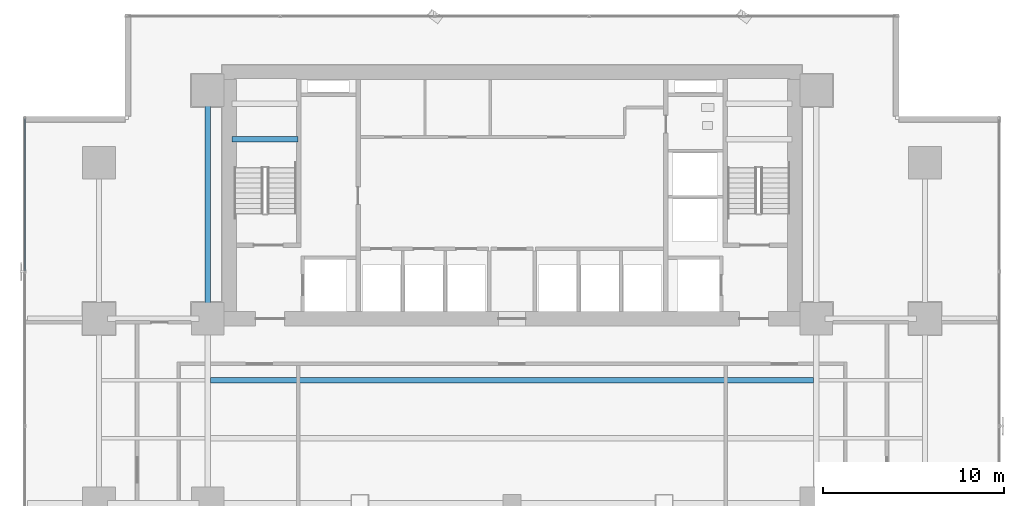
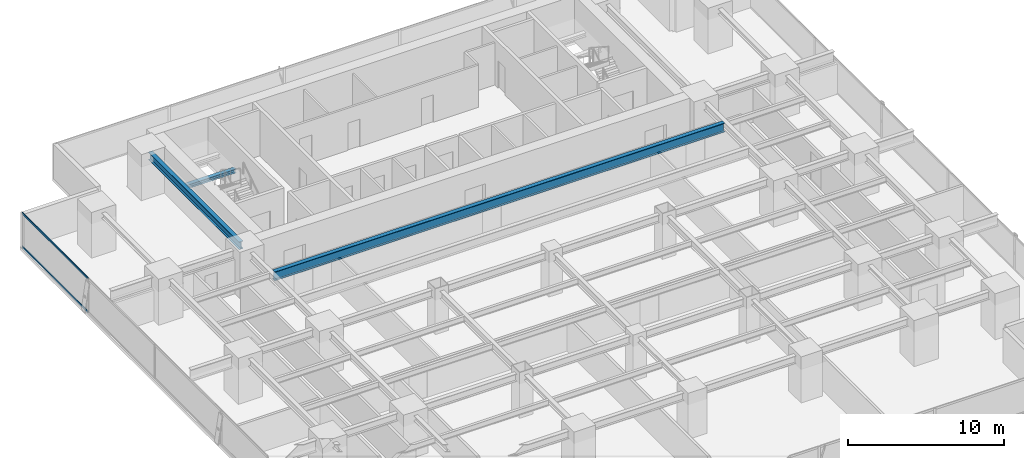
# One storey, part 17 of 33: 3 beams, 2 members, 1 element without a shape of its own.
"""IFC4 building model written with IfcOpenShell, lengths in metres."""

import ifcopenshell
import ifcopenshell.guid

model = None  # the IFC model being written
_history = None  # IfcOwnerHistory: only IFC2X3 demands one
_inside = {}  # id of a spatial element -> (the spatial element, [elements in it])
_under = {}  # id of a project, library or spatial element -> (it, [spatial elements below it])
_declared = {}  # id of a project -> (the project, [libraries it declares])
_typed = {}  # id of a type object -> (the type object, [elements of that type])
_made_of = {}  # id of a material, layer set ... -> (it, [elements and type objects made of it])


def new_model(schema):
    """Start an empty IFC model of exactly this schema.

    Asked for "IFC4X3", IfcOpenShell would pick the latest addendum, in which some entities
    have other attributes; the version numbers below select the first issue.
    IFC2X3 requires an IfcOwnerHistory on every rooted entity: one is made here for all.
    """
    global model, _history
    if schema == "IFC4X3":
        model = ifcopenshell.file(schema_version=(4, 3, 0, 0))
    else:
        model = ifcopenshell.file(schema=schema)
    _inside.clear()
    _under.clear()
    _declared.clear()
    _typed.clear()
    _made_of.clear()
    _history = None
    if model.schema == "IFC2X3":
        org = make("IfcOrganization", Name="unknown")
        user = make(
            "IfcPersonAndOrganization",
            ThePerson=make("IfcPerson", FamilyName="unknown"),
            TheOrganization=org,
        )
        app = make(
            "IfcApplication",
            ApplicationDeveloper=org,
            Version="unknown",
            ApplicationFullName="unknown",
            ApplicationIdentifier="unknown",
        )
        _history = make(
            "IfcOwnerHistory",
            OwningUser=user,
            OwningApplication=app,
            ChangeAction="ADDED",
            CreationDate=0,
        )
    return model


def make(cls, **values):
    """One entity of the class cls with the attributes given. An attribute that is None is left unset."""
    return model.create_entity(
        cls, **{name: value for name, value in values.items() if value is not None}
    )


def rooted(cls, **values):
    """An entity with a GlobalId (a new one), such as an element, a storey or a relation."""
    return make(cls, GlobalId=ifcopenshell.guid.new(), OwnerHistory=_history, **values)


def si_unit(unit_type, name, prefix=None):
    """IfcSIUnit, for example si_unit("LENGTHUNIT", "METRE", prefix="MILLI")."""
    return make("IfcSIUnit", UnitType=unit_type, Prefix=prefix, Name=name)


def assignment(units):
    """IfcUnitAssignment: the units of a project."""
    return None if units is None else make("IfcUnitAssignment", Units=units)


def point(xyz):
    """IfcCartesianPoint."""
    return None if xyz is None else make("IfcCartesianPoint", Coordinates=xyz)


def direction(xyz):
    """IfcDirection."""
    return None if xyz is None else make("IfcDirection", DirectionRatios=xyz)


def frame(location, z_axis=None, x_axis=None):
    """IfcAxis2Placement3D, a coordinate frame: its origin and axes. An axis left out is left unset."""
    return make(
        "IfcAxis2Placement3D",
        Location=point(location),
        Axis=direction(z_axis),
        RefDirection=direction(x_axis),
    )


def frame_2d(location, x_axis=None):
    """IfcAxis2Placement2D, a coordinate frame in the plane: its origin and x axis."""
    return make(
        "IfcAxis2Placement2D", Location=point(location), RefDirection=direction(x_axis)
    )


def origin():
    """The frame at (0, 0, 0) with its axes left unset."""
    return frame((0.0, 0.0, 0.0))


def origin_2d():
    """The frame at (0, 0) in the plane with its x axis left unset."""
    return frame_2d((0.0, 0.0))


def place(relative_to, where):
    """IfcLocalPlacement: puts the frame where relative to a parent placement (None: the world)."""
    return make(
        "IfcLocalPlacement", PlacementRelTo=relative_to, RelativePlacement=where
    )


def context(
    kind, dimensions, precision=None, world=None, true_north=None, identifier=None
):
    """IfcGeometricRepresentationContext, for example the 3D "Model" context."""
    return make(
        "IfcGeometricRepresentationContext",
        ContextIdentifier=identifier,
        ContextType=kind,
        CoordinateSpaceDimension=dimensions,
        Precision=precision,
        WorldCoordinateSystem=world,
        TrueNorth=true_north,
    )


def subcontext(parent, identifier, kind, view, scale=None):
    """IfcGeometricRepresentationSubContext, for example "Body" below "Model"."""
    return make(
        "IfcGeometricRepresentationSubContext",
        ContextIdentifier=identifier,
        ContextType=kind,
        ParentContext=parent,
        TargetScale=scale,
        TargetView=view,
    )


def project(units=None, contexts=None):
    """IfcProject with its units and contexts."""
    return rooted(
        "IfcProject",
        Name="project",
        RepresentationContexts=contexts,
        UnitsInContext=assignment(units),
    )


def spatial(cls, under=None, at=None, **own):
    """A site, building, storey or space (cls), placed at a placement, below another one or the project."""
    s = rooted(cls, ObjectPlacement=at, **own)
    if under is not None:
        _under.setdefault(under.id(), (under, []))[1].append(s)
    return s


def profile(cls, at=None, kind="AREA", **sizes):
    """A parametric profile (cls). Its sizes go by their IFC names, for example OverallWidth=200.0."""
    return make(cls, ProfileType=kind, Position=at, **sizes)


def hollow_rectangle(**sizes):
    """IfcRectangleHollowProfileDef."""
    return profile("IfcRectangleHollowProfileDef", **sizes)


def i_section(**sizes):
    """IfcIShapeProfileDef."""
    return profile("IfcIShapeProfileDef", **sizes)


def extrude(swept, where, along, depth):
    """IfcExtrudedAreaSolid: the profile swept, set in the frame where, extruded along a direction by depth."""
    return make(
        "IfcExtrudedAreaSolid",
        SweptArea=swept,
        Position=where,
        ExtrudedDirection=direction(along),
        Depth=depth,
    )


def shape(context_of_items, identifier, shape_type, items):
    """IfcShapeRepresentation: the items that make up one representation, for example the "Body"."""
    return make(
        "IfcShapeRepresentation",
        ContextOfItems=context_of_items,
        RepresentationIdentifier=identifier,
        RepresentationType=shape_type,
        Items=items,
    )


def source(mapping_origin, context_of_items, identifier, shape_type, items):
    """IfcRepresentationMap: a shape defined once, which mapped items show again and again."""
    return make(
        "IfcRepresentationMap",
        MappingOrigin=mapping_origin,
        MappedRepresentation=shape(context_of_items, identifier, shape_type, items),
    )


def transform(
    local_origin,
    x_axis=None,
    y_axis=None,
    z_axis=None,
    scale=None,
    scale2=None,
    scale3=None,
    uniform=True,
):
    """IfcCartesianTransformationOperator3D, or its non-uniform kind. x_axis, y_axis, z_axis: its Axis1, 2, 3."""
    if uniform:
        return make(
            "IfcCartesianTransformationOperator3D",
            Axis1=direction(x_axis),
            Axis2=direction(y_axis),
            LocalOrigin=point(local_origin),
            Scale=scale,
            Axis3=direction(z_axis),
        )
    return make(
        "IfcCartesianTransformationOperator3DnonUniform",
        Axis1=direction(x_axis),
        Axis2=direction(y_axis),
        LocalOrigin=point(local_origin),
        Scale=scale,
        Axis3=direction(z_axis),
        Scale2=scale2,
        Scale3=scale3,
    )


def mapped(mapping_source, mapping_target):
    """IfcMappedItem: shows the shape of a source again, moved by a transform."""
    return make(
        "IfcMappedItem", MappingSource=mapping_source, MappingTarget=mapping_target
    )


def material(Name=None, Category=None):
    """IfcMaterial."""
    return make("IfcMaterial", Name=Name, Category=Category)


def layer(
    of_material, thickness, ventilated=None, Name=None, Category=None, Priority=None
):
    """IfcMaterialLayer: one layer of a wall or slab, of a material (None: an air gap)."""
    return make(
        "IfcMaterialLayer",
        Material=of_material,
        LayerThickness=thickness,
        IsVentilated=ventilated,
        Name=Name,
        Category=Category,
        Priority=Priority,
    )


def layer_set(layers, Name=None):
    """IfcMaterialLayerSet."""
    return make("IfcMaterialLayerSet", MaterialLayers=layers, LayerSetName=Name)


def material_profile(
    of_material, cross_section, Name=None, Category=None, Priority=None
):
    """IfcMaterialProfile: a cross section and its material."""
    return make(
        "IfcMaterialProfile",
        Name=Name,
        Material=of_material,
        Profile=cross_section,
        Priority=Priority,
        Category=Category,
    )


def profile_set(profiles, Name=None, composite=None):
    """IfcMaterialProfileSet."""
    return make(
        "IfcMaterialProfileSet",
        Name=Name,
        MaterialProfiles=profiles,
        CompositeProfile=composite,
    )


def made_of(thing, what):
    """Note that an element or type object is made of a material, layer set ...; save() writes the relation."""
    if what is not None:
        _made_of.setdefault(what.id(), (what, []))[1].append(thing)
    return thing


def type_object(cls, material=None, **own):
    """A type object (cls), such as IfcWallType, which elements share."""
    return made_of(rooted(cls, **own), material)


def element(
    cls,
    number,
    at=None,
    inside=None,
    cuts=None,
    type_object=None,
    material=None,
    context=None,
    identifier="Body",
    shape_type=None,
    held_by="IfcProductDefinitionShape",
    body=None,
    shapes=None,
    **own,
):
    """One element of the class cls, such as IfcWall. Its Tag is "e" and its number.

    at: its placement. inside: the storey or other place that contains it. cuts: it is an
    opening in that element (IfcRelVoidsElement). A single representation is given by context,
    identifier, shape_type and body (its items); several are given by shapes. held_by: the class
    of the entity that holds the representations. save() writes the other relations.
    """
    e = rooted(cls, Tag="e%d" % number, ObjectPlacement=at, **own)
    if body is not None:
        shapes = [shape(context, identifier, shape_type, body)]
    if shapes is not None:
        e.Representation = make(held_by, Representations=shapes)
    if inside is not None:
        _inside.setdefault(inside.id(), (inside, []))[1].append(e)
    if cuts is not None:
        rooted(
            "IfcRelVoidsElement", RelatingBuildingElement=cuts, RelatedOpeningElement=e
        )
    if type_object is not None:
        _typed.setdefault(type_object.id(), (type_object, []))[1].append(e)
    return made_of(e, material)


def aggregate(whole, parts):
    """IfcRelAggregates: a whole, such as a stair, and the parts it consists of."""
    return rooted("IfcRelAggregates", RelatingObject=whole, RelatedObjects=parts)


def save(model, path):
    """Write the relations noted so far, then the file.

    IfcRelAggregates (storeys below a building ...), IfcRelContainedInSpatialStructure (elements
    in a storey), IfcRelDefinesByType, IfcRelAssociatesMaterial and IfcRelDeclares: one each for
    every whole, place, type object, material and project.
    """
    for whole, parts in _under.values():
        aggregate(whole, parts)
    for where, things in _inside.values():
        rooted(
            "IfcRelContainedInSpatialStructure",
            RelatedElements=things,
            RelatingStructure=where,
        )
    for kind, things in _typed.values():
        rooted("IfcRelDefinesByType", RelatedObjects=things, RelatingType=kind)
    for what, things in _made_of.values():
        rooted("IfcRelAssociatesMaterial", RelatedObjects=things, RelatingMaterial=what)
    for by, libraries in _declared.values():
        rooted("IfcRelDeclares", RelatingContext=by, RelatedDefinitions=libraries)
    model.write(path)


model = new_model("IFC4")

# Units and contexts
model_context = context("Model", 3, precision=1e-05, world=origin(), true_north=direction((0.0, 1.0)))
body_context = subcontext(model_context, "Body", "Model", "MODEL_VIEW")
ifc_project = project(units=[si_unit("LENGTHUNIT", "METRE"), si_unit("AREAUNIT", "SQUARE_METRE"), si_unit("VOLUMEUNIT", "CUBIC_METRE"), si_unit("PLANEANGLEUNIT", "RADIAN"), si_unit("MASSUNIT", "GRAM", prefix="KILO")], contexts=[model_context])

# Site, building, storey
site_placement = place(None, origin())
site = spatial("IfcSite", under=ifc_project, at=site_placement, CompositionType="ELEMENT")
building_placement = place(site_placement, origin())
building = spatial("IfcBuilding", under=site, at=building_placement, Name="Sumidabori Civic Tower", CompositionType="ELEMENT")
storey_placement = place(building_placement, frame((0.0, 0.0, 66.800048828125)))
storey = spatial("IfcBuildingStorey", under=building, at=storey_placement, Name="L17", CompositionType="ELEMENT", Elevation=66.800048828125)

# Beams
ifc_material_1 = material(Name="Steel SN490", Category="steel")
ifc_material_profile_1 = material_profile(ifc_material_1, i_section(OverallWidth=0.300048828125, OverallDepth=0.300048828125, WebThickness=0.010986328125, FlangeThickness=0.01904296875, at=origin_2d()), Name="HE 300 B")
ifc_profile_set_1 = profile_set([ifc_material_profile_1], Name="Steel SN490")
beam_type_1 = type_object("IfcBeamType", Name="BM-LDG-300", PredefinedType="BEAM", material=ifc_profile_set_1)
shared_shape_1 = source(origin(), body_context, "Body", "SweptSolid", [
    extrude(i_section(OverallWidth=0.300048828125, OverallDepth=0.300048828125, WebThickness=0.010986328125, FlangeThickness=0.01904296875, at=origin_2d()), origin(), (0.0, 0.0, 1.0), 3.64990234375),
])
beam_1_placement = place(storey_placement, frame((-15.449951171875, 20.09765625, 1.449951171875), z_axis=(1.0, 0.0, 0.0), x_axis=(0.0, 1.0, 0.0)))
element("IfcBeam", 1, at=beam_1_placement, inside=storey, type_object=beam_type_1, Name="Stair ST-1 Landing Support Beam L17-1A", PredefinedType="BEAM", context=body_context, shape_type="MappedRepresentation", body=[
    mapped(shared_shape_1, transform((0.0, 0.0, 0.0), x_axis=(1.0, 0.0, 0.0), y_axis=(0.0, 1.0, 0.0), z_axis=(0.0, 0.0, 1.0), scale=1.0)),
])
ifc_material_profile_2 = material_profile(ifc_material_1, i_section(OverallWidth=0.300048828125, OverallDepth=0.60009765625, WebThickness=0.015380859375, FlangeThickness=0.030029296875, at=origin_2d()), Name="HE 600 B")
ifc_profile_set_2 = profile_set([ifc_material_profile_2], Name="Steel SN490")
beam_type_2 = type_object("IfcBeamType", Name="BM-GIRD-600", PredefinedType="BEAM", material=ifc_profile_set_2)
shared_shape_2 = source(origin(), body_context, "Body", "SweptSolid", [
    extrude(i_section(OverallWidth=0.300048828125, OverallDepth=0.60009765625, WebThickness=0.015380859375, FlangeThickness=0.030029296875, at=origin_2d()), origin(), (0.0, 0.0, 1.0), 11.64013671875),
])
beam_2_placement = place(storey_placement, frame((-16.800048828125, 10.679931640625, 3.0), z_axis=(0.0, 1.0, 0.0), x_axis=(-1.0, 0.0, 0.0)))
element("IfcBeam", 2, at=beam_2_placement, inside=storey, type_object=beam_type_2, Name="Primary Girder L17 GY-28", PredefinedType="BEAM", context=body_context, shape_type="MappedRepresentation", body=[
    mapped(shared_shape_2, transform((0.0, 0.0, 0.0), x_axis=(1.0, 0.0, 0.0), y_axis=(0.0, 1.0, 0.0), z_axis=(0.0, 0.0, 1.0), scale=1.0)),
])
ifc_material_profile_3 = material_profile(ifc_material_1, i_section(OverallWidth=0.300048828125, OverallDepth=0.699951171875, WebThickness=0.01708984375, FlangeThickness=0.031982421875, at=origin_2d()), Name="HE 700 B")
ifc_profile_set_3 = profile_set([ifc_material_profile_3], Name="Steel SN490")
beam_type_3 = type_object("IfcBeamType", Name="BM-GIRD-700", PredefinedType="BEAM", material=ifc_profile_set_3)
shared_shape_3 = source(origin(), body_context, "Body", "SweptSolid", [
    extrude(i_section(OverallWidth=0.300048828125, OverallDepth=0.699951171875, WebThickness=0.01708984375, FlangeThickness=0.031982421875, at=origin_2d()), origin(), (0.0, 0.0, 1.0), 33.2998046875),
])
beam_3_placement = place(storey_placement, frame((-16.64990234375, 6.800048828125, 2.949951171875), z_axis=(1.0, 0.0, 0.0), x_axis=(0.0, 1.0, 0.0)))
element("IfcBeam", 3, at=beam_3_placement, inside=storey, type_object=beam_type_3, Name="North Bay Floor Beam L17 JSTN-60", PredefinedType="BEAM", context=body_context, shape_type="MappedRepresentation", body=[
    mapped(shared_shape_3, transform((0.0, 0.0, 0.0), x_axis=(1.0, 0.0, 0.0), y_axis=(0.0, 1.0, 0.0), z_axis=(0.0, 0.0, 1.0), scale=1.0)),
])

# Curtain wall, members
ifc_material_2 = material(Name="Anodised Bronze Aluminium AW-6063-T6", Category="aluminium")
ifc_layer = layer(ifc_material_2, 0.179931640625, Name="Anodised Bronze Aluminium AW-6063-T6")
ifc_layer_set = layer_set([ifc_layer], Name="Anodised Bronze Aluminium AW-6063-T6")
curtain_wall_type = type_object("IfcCurtainWallType", Name="CW-SYS-2", PredefinedType="NOTDEFINED", material=ifc_layer_set)
curtain_wall_placement = place(storey_placement, origin())
curtain_wall = element("IfcCurtainWall", 4, at=curtain_wall_placement, inside=storey, type_object=curtain_wall_type, Name="Curtain Wall CW:L17:R10", PredefinedType="NOTDEFINED")
ifc_material_profile_4 = material_profile(ifc_material_2, hollow_rectangle(XDim=0.06494140625, YDim=0.14990234375, WallThickness=0.0048828125, at=origin_2d()), Name="ALU TRANSOM 150x65")
ifc_profile_set_4 = profile_set([ifc_material_profile_4], Name="Anodised Bronze Aluminium AW-6063-T6")
member_type = type_object("IfcMemberType", Name="CW-TRN-150", PredefinedType="USERDEFINED", material=ifc_profile_set_4)
shared_shape_4 = source(origin(), body_context, "Body", "SweptSolid", [
    extrude(hollow_rectangle(XDim=0.06494140625, YDim=0.14990234375, WallThickness=0.0048828125, at=origin_2d()), origin(), (0.0, 0.0, 1.0), 8.423095703125),
])
member_1_placement = place(storey_placement, frame((-26.8798828125, 21.25, 0.032470703125), z_axis=(0.0, -1.0, 0.0), x_axis=(1.0, 0.0, 0.0)))
member_1 = element("IfcMember", 5, at=member_1_placement, type_object=member_type, Name="CW-2 transom 1.1", ObjectType="TRANSOM", PredefinedType="USERDEFINED", context=body_context, shape_type="MappedRepresentation", body=[
    mapped(shared_shape_4, transform((0.0, 0.0, 0.0), x_axis=(1.0, 0.0, 0.0), y_axis=(0.0, 1.0, 0.0), z_axis=(0.0, 0.0, 1.0), scale=1.0)),
])
member_2_placement = place(storey_placement, frame((-26.8798828125, 21.25, 2.6474609375), z_axis=(0.0, -1.0, 0.0), x_axis=(1.0, 0.0, 0.0)))
member_2 = element("IfcMember", 6, at=member_2_placement, type_object=member_type, Name="CW-2 transom 1.2", ObjectType="TRANSOM", PredefinedType="USERDEFINED", context=body_context, shape_type="MappedRepresentation", body=[
    mapped(shared_shape_4, transform((0.0, 0.0, 0.0), x_axis=(1.0, 0.0, 0.0), y_axis=(0.0, 1.0, 0.0), z_axis=(0.0, 0.0, 1.0), scale=1.0)),
])
aggregate(curtain_wall, [member_1, member_2])

save(model, "model.ifc")
